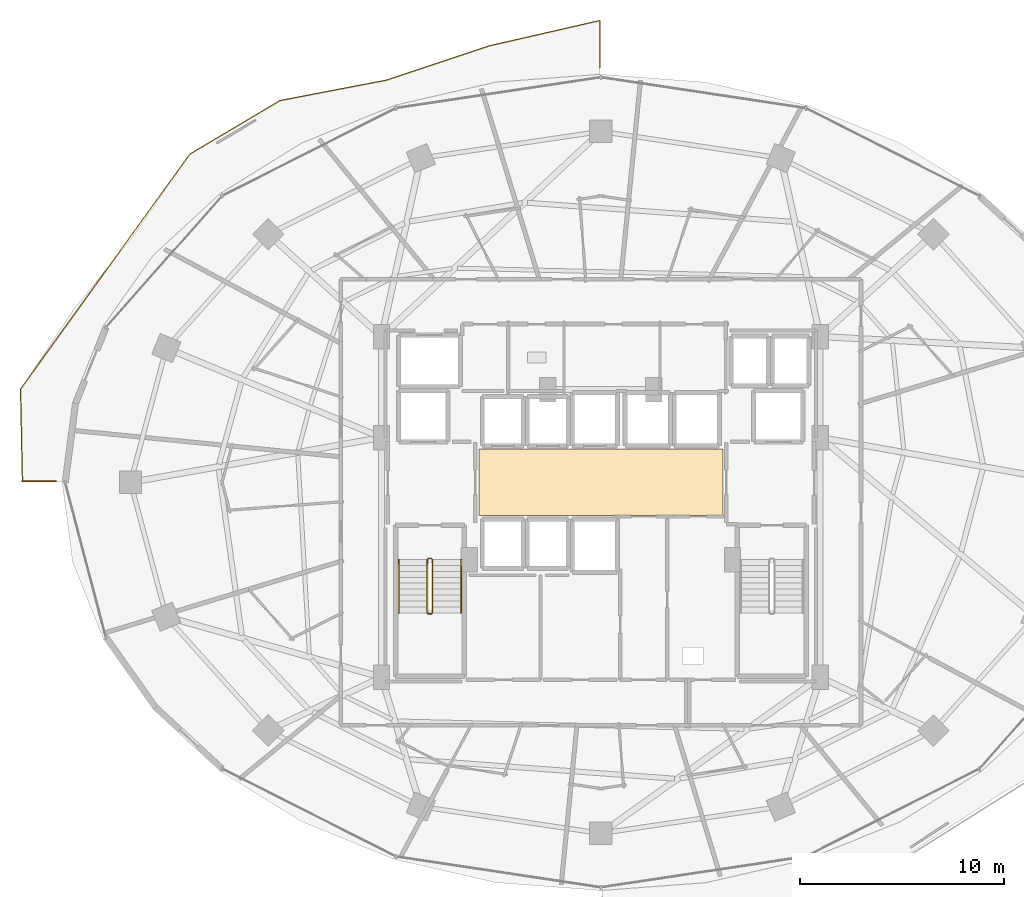
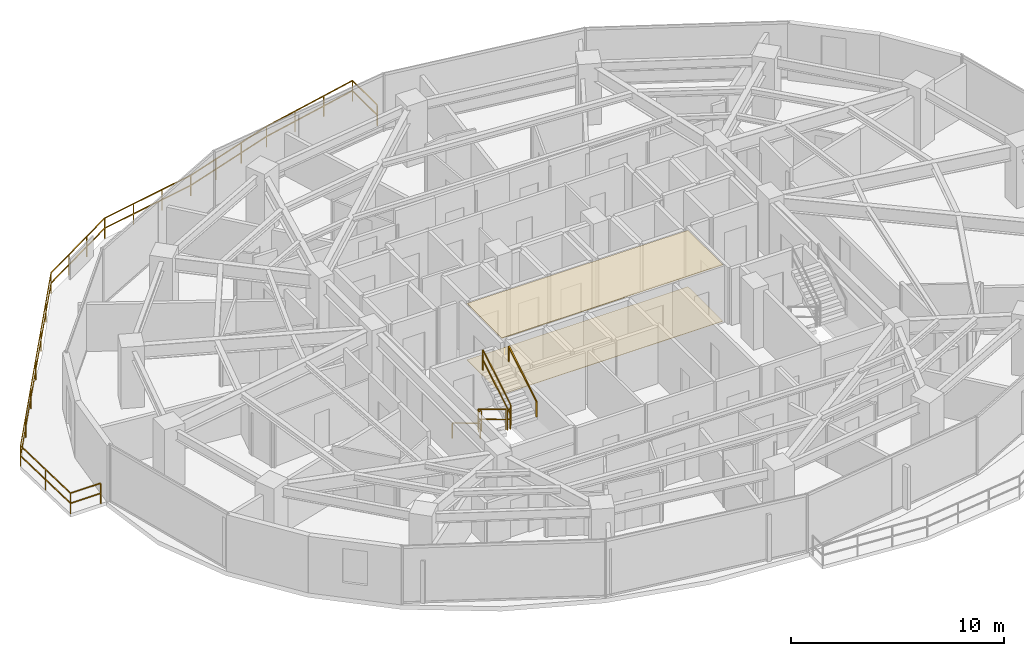
# One storey, part 26 of 29: 8 railings, 2 coverings.
"""IFC4 building model written with IfcOpenShell, lengths in metres."""

from ifc_helpers import new_model, si_unit, direction, frame, origin, origin_2d, place, context, subcontext, project, spatial, polyline, rectangle, outline, extrude, material, layer, layer_set, type_object, element, save


model = new_model("IFC4")

# Units and contexts
model_context = context("Model", 3, precision=1e-05, world=origin(), true_north=direction((0.0, 1.0)))
body_context = subcontext(model_context, "Body", "Model", "MODEL_VIEW")
ifc_project = project(units=[si_unit("LENGTHUNIT", "METRE"), si_unit("AREAUNIT", "SQUARE_METRE"), si_unit("VOLUMEUNIT", "CUBIC_METRE"), si_unit("PLANEANGLEUNIT", "RADIAN"), si_unit("MASSUNIT", "GRAM", prefix="KILO")], contexts=[model_context])

# Site, building, storey
site_placement = place(None, origin())
site = spatial("IfcSite", under=ifc_project, at=site_placement, CompositionType="ELEMENT")
building_placement = place(site_placement, origin())
building = spatial("IfcBuilding", under=site, at=building_placement, Name="Vorneva Point Tower", CompositionType="ELEMENT")
storey_placement = place(building_placement, frame((0.0, 0.0, 113.800048828125)))
storey = spatial("IfcBuildingStorey", under=building, at=storey_placement, Name="L30", CompositionType="ELEMENT", Elevation=113.800048828125)

# Coverings
ifc_material_1 = material(Name="Perforated acoustic aluminium baffle ceiling", Category="aluminium")
ifc_layer_1 = layer(ifc_material_1, 0.030029296875)
ifc_layer_set_1 = layer_set([ifc_layer_1], Name="Perforated acoustic aluminium baffle ceiling")
covering_type_1 = type_object("IfcCoveringType", Name="COV-CEIL-BAF", PredefinedType="CEILING", material=ifc_layer_set_1)
covering_1_placement = place(storey_placement, frame((0.0, 0.0, 3.2099609375)))
element("IfcCovering", 1, at=covering_1_placement, inside=storey, type_object=covering_type_1, Name="L30 Lift Lobby Acoustic Baffle Ceiling", PredefinedType="CEILING", context=body_context, shape_type="SweptSolid", body=[
    extrude(outline(polyline([(32.02001953125, 24.3701171875), (43.97998046875, 24.3701171875), (43.97998046875, 27.6298828125), (32.02001953125, 27.6298828125), (32.02001953125, 24.3701171875)])), origin(), (0.0, 0.0, 1.0), 0.034912109375),
])
ifc_material_2 = material(Name="Acoustic wool hospitality carpet", Category="textile")
ifc_layer_2 = layer(ifc_material_2, 0.01806640625)
ifc_layer_set_2 = layer_set([ifc_layer_2], Name="Acoustic wool hospitality carpet")
covering_type_2 = type_object("IfcCoveringType", Name="COV-FLR-CRP", PredefinedType="FLOORING", material=ifc_layer_set_2)
covering_2_placement = place(storey_placement, frame((0.0, 0.0, -0.005126953125)))
element("IfcCovering", 2, at=covering_2_placement, inside=storey, type_object=covering_type_2, Name="L30 Lift Lobby Floor Finish", PredefinedType="FLOORING", context=body_context, shape_type="SweptSolid", body=[
    extrude(outline(polyline([(32.02001953125, 24.3701171875), (43.97998046875, 24.3701171875), (43.97998046875, 27.6298828125), (32.02001953125, 27.6298828125), (32.02001953125, 24.3701171875)])), origin(), (0.0, 0.0, 1.0), 0.023193359375),
])

# Railings
ifc_material_3 = material(Name="Pale anodised aluminium", Category="aluminium")
railing_type_1 = type_object("IfcRailingType", Name="RL-BAL-1200", PredefinedType="BALUSTRADE", material=ifc_material_3)
railing_1_placement = place(storey_placement, frame((9.64892578125, 26.050048828125, 0.0)))
element("IfcRailing", 3, at=railing_1_placement, inside=storey, type_object=railing_type_1, Name="L30 Wave Balcony Balustrade NW.1", PredefinedType="BALUSTRADE", context=body_context, shape_type="SweptSolid", body=[
    extrude(rectangle(XDim=0.048095703125, YDim=0.048095703125, at=origin_2d()), frame((0.0, 0.0, 1.17578125), z_axis=(1.0, 0.0, 0.0), x_axis=(0.0, 1.0, 0.0)), (0.0, 0.0, 1.0), 1.634765625),
    extrude(rectangle(XDim=0.048095703125, YDim=0.048095703125, at=origin_2d()), frame((0.0, 0.0, 0.60009765625), z_axis=(1.0, 0.0, 0.0), x_axis=(0.0, 1.0, 0.0)), (0.0, 0.0, 1.0), 1.634765625),
    extrude(rectangle(XDim=0.0419921875, YDim=0.0419921875, at=origin_2d()), origin(), (0.0, 0.0, 1.0), 1.15185546875),
    extrude(rectangle(XDim=0.0419921875, YDim=0.0419921875, at=origin_2d()), frame((1.634765625, 0.0, 0.0)), (0.0, 0.0, 1.0), 1.15185546875),
])
railing_2_placement = place(storey_placement, frame((37.949951171875, 46.317138671875, 0.0)))
element("IfcRailing", 4, at=railing_2_placement, inside=storey, type_object=railing_type_1, Name="L30 Wave Balcony Balustrade NW.2", PredefinedType="BALUSTRADE", context=body_context, shape_type="SweptSolid", body=[
    extrude(rectangle(XDim=0.048095703125, YDim=0.048095703125, at=origin_2d()), frame((0.0, 0.0, 1.17578125), z_axis=(0.0, 1.0, 0.0), x_axis=(-1.0, 0.0, 0.0)), (0.0, 0.0, 1.0), 2.321533203125),
    extrude(rectangle(XDim=0.048095703125, YDim=0.048095703125, at=origin_2d()), frame((0.0, 0.0, 0.60009765625), z_axis=(0.0, 1.0, 0.0), x_axis=(-1.0, 0.0, 0.0)), (0.0, 0.0, 1.0), 2.321533203125),
    extrude(rectangle(XDim=0.048095703125, YDim=0.048095703125, at=origin_2d()), frame((0.0, 2.321533203125, 1.17578125), z_axis=(-0.974772904906, -0.22319897818, 0.0), x_axis=(0.22319897818, -0.974772904906, 0.0)), (0.0, 0.0, 1.0), 5.509521484375),
    extrude(rectangle(XDim=0.048095703125, YDim=0.048095703125, at=origin_2d()), frame((0.0, 2.321533203125, 0.60009765625), z_axis=(-0.974772904906, -0.22319897818, 0.0), x_axis=(0.22319897818, -0.974772904906, 0.0)), (0.0, 0.0, 1.0), 5.509521484375),
    extrude(rectangle(XDim=0.048095703125, YDim=0.048095703125, at=origin_2d()), frame((-5.37060546875, 1.091796875, 1.17578125), z_axis=(-0.948856695911, -0.315707096252, 0.0), x_axis=(0.315707096252, -0.948856695911, 0.0)), (0.0, 0.0, 1.0), 5.345947265625),
    extrude(rectangle(XDim=0.048095703125, YDim=0.048095703125, at=origin_2d()), frame((-5.37060546875, 1.091796875, 0.60009765625), z_axis=(-0.948856695911, -0.315707096252, 0.0), x_axis=(0.315707096252, -0.948856695911, 0.0)), (0.0, 0.0, 1.0), 5.345947265625),
    extrude(rectangle(XDim=0.048095703125, YDim=0.048095703125, at=origin_2d()), frame((-10.443115234375, -0.595947265625, 1.17578125), z_axis=(-0.982038802022, -0.18867906965, 0.0), x_axis=(0.18867906965, -0.982038802022, 0.0)), (0.0, 0.0, 1.0), 5.325927734375),
    extrude(rectangle(XDim=0.048095703125, YDim=0.048095703125, at=origin_2d()), frame((-10.443115234375, -0.595947265625, 0.60009765625), z_axis=(-0.982038802022, -0.18867906965, 0.0), x_axis=(0.18867906965, -0.982038802022, 0.0)), (0.0, 0.0, 1.0), 5.325927734375),
    extrude(rectangle(XDim=0.048095703125, YDim=0.048095703125, at=origin_2d()), frame((-15.67333984375, -1.600830078125, 1.17578125), z_axis=(-0.859813701546, -0.510607871692, 0.0), x_axis=(0.510607871692, -0.859813701546, 0.0)), (0.0, 0.0, 1.0), 5.141357421875),
    extrude(rectangle(XDim=0.048095703125, YDim=0.048095703125, at=origin_2d()), frame((-15.67333984375, -1.600830078125, 0.60009765625), z_axis=(-0.859813701546, -0.510607871692, 0.0), x_axis=(0.510607871692, -0.859813701546, 0.0)), (0.0, 0.0, 1.0), 5.141357421875),
    extrude(rectangle(XDim=0.048095703125, YDim=0.048095703125, at=origin_2d()), frame((-20.093994140625, -4.22607421875, 1.17578125), z_axis=(-0.58451761401, -0.811381019566, 0.0), x_axis=(0.811381019566, -0.58451761401, 0.0)), (0.0, 0.0, 1.0), 14.19775390625),
    extrude(rectangle(XDim=0.048095703125, YDim=0.048095703125, at=origin_2d()), frame((-20.093994140625, -4.22607421875, 0.60009765625), z_axis=(-0.58451761401, -0.811381019566, 0.0), x_axis=(0.811381019566, -0.58451761401, 0.0)), (0.0, 0.0, 1.0), 14.19775390625),
    extrude(rectangle(XDim=0.048095703125, YDim=0.048095703125, at=origin_2d()), frame((-28.392822265625, -15.745849609375, 1.17578125), z_axis=(0.020299288543, -0.999793948214, 0.0), x_axis=(0.999793948214, 0.020299288543, 0.0)), (0.0, 0.0, 1.0), 4.522216796875),
    extrude(rectangle(XDim=0.048095703125, YDim=0.048095703125, at=origin_2d()), frame((-28.392822265625, -15.745849609375, 0.60009765625), z_axis=(0.020299288543, -0.999793948214, 0.0), x_axis=(0.999793948214, 0.020299288543, 0.0)), (0.0, 0.0, 1.0), 4.522216796875),
    extrude(rectangle(XDim=0.0419921875, YDim=0.0419921875, at=origin_2d()), origin(), (0.0, 0.0, 1.0), 1.15185546875),
    extrude(rectangle(XDim=0.0419921875, YDim=0.0419921875, at=origin_2d()), frame((0.0, 2.321533203125, 0.0)), (0.0, 0.0, 1.0), 1.15185546875),
    extrude(rectangle(XDim=0.0419921875, YDim=0.0419921875, at=origin_2d()), frame((-1.790283203125, 1.91162109375, 0.0)), (0.0, 0.0, 1.0), 1.15185546875),
    extrude(rectangle(XDim=0.0419921875, YDim=0.0419921875, at=origin_2d()), frame((-3.580322265625, 1.501708984375, 0.0)), (0.0, 0.0, 1.0), 1.15185546875),
    extrude(rectangle(XDim=0.0419921875, YDim=0.0419921875, at=origin_2d()), frame((-5.37060546875, 1.091796875, 0.0)), (0.0, 0.0, 1.0), 1.15185546875),
    extrude(rectangle(XDim=0.0419921875, YDim=0.0419921875, at=origin_2d()), frame((-7.0615234375, 0.529296875, 0.0)), (0.0, 0.0, 1.0), 1.15185546875),
    extrude(rectangle(XDim=0.0419921875, YDim=0.0419921875, at=origin_2d()), frame((-8.752197265625, -0.033447265625, 0.0)), (0.0, 0.0, 1.0), 1.15185546875),
    extrude(rectangle(XDim=0.0419921875, YDim=0.0419921875, at=origin_2d()), frame((-10.443115234375, -0.595947265625, 0.0)), (0.0, 0.0, 1.0), 1.15185546875),
    extrude(rectangle(XDim=0.0419921875, YDim=0.0419921875, at=origin_2d()), frame((-12.1865234375, -0.930908203125, 0.0)), (0.0, 0.0, 1.0), 1.15185546875),
    extrude(rectangle(XDim=0.0419921875, YDim=0.0419921875, at=origin_2d()), frame((-13.929931640625, -1.265869140625, 0.0)), (0.0, 0.0, 1.0), 1.15185546875),
    extrude(rectangle(XDim=0.0419921875, YDim=0.0419921875, at=origin_2d()), frame((-15.67333984375, -1.600830078125, 0.0)), (0.0, 0.0, 1.0), 1.15185546875),
    extrude(rectangle(XDim=0.0419921875, YDim=0.0419921875, at=origin_2d()), frame((-17.14697265625, -2.475830078125, 0.0)), (0.0, 0.0, 1.0), 1.15185546875),
    extrude(rectangle(XDim=0.0419921875, YDim=0.0419921875, at=origin_2d()), frame((-18.620361328125, -3.35107421875, 0.0)), (0.0, 0.0, 1.0), 1.15185546875),
    extrude(rectangle(XDim=0.0419921875, YDim=0.0419921875, at=origin_2d()), frame((-20.093994140625, -4.22607421875, 0.0)), (0.0, 0.0, 1.0), 1.15185546875),
    extrude(rectangle(XDim=0.0419921875, YDim=0.0419921875, at=origin_2d()), frame((-21.47705078125, -6.14599609375, 0.0)), (0.0, 0.0, 1.0), 1.15185546875),
    extrude(rectangle(XDim=0.0419921875, YDim=0.0419921875, at=origin_2d()), frame((-22.8603515625, -8.06591796875, 0.0)), (0.0, 0.0, 1.0), 1.15185546875),
    extrude(rectangle(XDim=0.0419921875, YDim=0.0419921875, at=origin_2d()), frame((-24.243408203125, -9.98583984375, 0.0)), (0.0, 0.0, 1.0), 1.15185546875),
    extrude(rectangle(XDim=0.0419921875, YDim=0.0419921875, at=origin_2d()), frame((-25.62646484375, -11.906005859375, 0.0)), (0.0, 0.0, 1.0), 1.15185546875),
    extrude(rectangle(XDim=0.0419921875, YDim=0.0419921875, at=origin_2d()), frame((-27.009765625, -13.825927734375, 0.0)), (0.0, 0.0, 1.0), 1.15185546875),
    extrude(rectangle(XDim=0.0419921875, YDim=0.0419921875, at=origin_2d()), frame((-28.392822265625, -15.745849609375, 0.0)), (0.0, 0.0, 1.0), 1.15185546875),
    extrude(rectangle(XDim=0.0419921875, YDim=0.0419921875, at=origin_2d()), frame((-28.346923828125, -18.00634765625, 0.0)), (0.0, 0.0, 1.0), 1.15185546875),
    extrude(rectangle(XDim=0.0419921875, YDim=0.0419921875, at=origin_2d()), frame((-28.301025390625, -20.26708984375, 0.0)), (0.0, 0.0, 1.0), 1.15185546875),
])
ifc_material_4 = material(Name="Brushed stainless steel S304", Category="steel")
railing_type_2 = type_object("IfcRailingType", Name="RL-HND-920", PredefinedType="HANDRAIL", material=ifc_material_4)
railing_3_placement = place(storey_placement, frame((28.10009765625, 22.219970703125, 0.175048828125)))
element("IfcRailing", 5, at=railing_3_placement, inside=storey, type_object=railing_type_2, Name="L30 ST1 stair handrail 1", PredefinedType="HANDRAIL", context=body_context, shape_type="SweptSolid", body=[
    extrude(rectangle(XDim=0.048095703125, YDim=0.048095703125, at=origin_2d()), frame((0.0, 0.0, 0.8759765625), z_axis=(0.0, -0.85618277418, 0.516673066065), x_axis=(1.0, 0.0, 0.0)), (0.0, 0.0, 1.0), 3.04833984375),
    extrude(rectangle(XDim=0.0419921875, YDim=0.0419921875, at=origin_2d()), origin(), (0.0, 0.0, 1.0), 0.851806640625),
    extrude(rectangle(XDim=0.0419921875, YDim=0.0419921875, at=origin_2d()), frame((0.0, -2.60986328125, 1.574951171875)), (0.0, 0.0, 1.0), 0.851806640625),
])
railing_4_placement = place(storey_placement, frame((31.14990234375, 19.610107421875, 1.925048828125)))
element("IfcRailing", 6, at=railing_4_placement, inside=storey, type_object=railing_type_2, Name="L30 ST1 stair handrail 2", PredefinedType="HANDRAIL", context=body_context, shape_type="SweptSolid", body=[
    extrude(rectangle(XDim=0.048095703125, YDim=0.048095703125, at=origin_2d()), frame((0.0, 0.0, 0.8759765625), z_axis=(0.0, 0.85618277418, 0.516673066065), x_axis=(-1.0, 0.0, 0.0)), (0.0, 0.0, 1.0), 3.04833984375),
    extrude(rectangle(XDim=0.0419921875, YDim=0.0419921875, at=origin_2d()), origin(), (0.0, 0.0, 1.0), 0.851806640625),
    extrude(rectangle(XDim=0.0419921875, YDim=0.0419921875, at=origin_2d()), frame((0.0, 2.60986328125, 1.574951171875)), (0.0, 0.0, 1.0), 0.851806640625),
])
railing_type_3 = type_object("IfcRailingType", Name="RL-STG-1100", PredefinedType="GUARDRAIL", material=ifc_material_4)
railing_5_placement = place(storey_placement, frame((29.5, 22.219970703125, 0.175048828125)))
element("IfcRailing", 7, at=railing_5_placement, inside=storey, type_object=railing_type_3, Name="L30 ST1 stair guard 1", PredefinedType="GUARDRAIL", context=body_context, shape_type="SweptSolid", body=[
    extrude(rectangle(XDim=0.048095703125, YDim=0.048095703125, at=origin_2d()), frame((0.0, 0.0, 1.17578125), z_axis=(0.0, -0.85618277418, 0.516673066065), x_axis=(1.0, 0.0, 0.0)), (0.0, 0.0, 1.0), 3.04833984375),
    extrude(rectangle(XDim=0.048095703125, YDim=0.048095703125, at=origin_2d()), frame((0.0, 0.0, 0.60009765625), z_axis=(0.0, -0.85618277418, 0.516673066065), x_axis=(1.0, 0.0, 0.0)), (0.0, 0.0, 1.0), 3.04833984375),
    extrude(rectangle(XDim=0.0419921875, YDim=0.0419921875, at=origin_2d()), origin(), (0.0, 0.0, 1.0), 1.15185546875),
    extrude(rectangle(XDim=0.0419921875, YDim=0.0419921875, at=origin_2d()), frame((0.0, -2.60986328125, 1.574951171875)), (0.0, 0.0, 1.0), 1.15185546875),
])
railing_6_placement = place(storey_placement, frame((29.550048828125, 19.56005859375, 1.75)))
element("IfcRailing", 8, at=railing_6_placement, inside=storey, type_object=railing_type_3, Name="L30 ST1 stair guard 2", PredefinedType="GUARDRAIL", context=body_context, shape_type="SweptSolid", body=[
    extrude(rectangle(XDim=0.048095703125, YDim=0.048095703125, at=origin_2d()), frame((0.0, 0.0, 1.17578125), z_axis=(1.0, 0.0, 0.0), x_axis=(0.0, 1.0, 0.0)), (0.0, 0.0, 1.0), 0.14990234375),
    extrude(rectangle(XDim=0.048095703125, YDim=0.048095703125, at=origin_2d()), frame((0.0, 0.0, 0.60009765625), z_axis=(1.0, 0.0, 0.0), x_axis=(0.0, 1.0, 0.0)), (0.0, 0.0, 1.0), 0.14990234375),
    extrude(rectangle(XDim=0.0419921875, YDim=0.0419921875, at=origin_2d()), origin(), (0.0, 0.0, 1.0), 1.15185546875),
    extrude(rectangle(XDim=0.0419921875, YDim=0.0419921875, at=origin_2d()), frame((0.14990234375, 0.0, 0.0)), (0.0, 0.0, 1.0), 1.15185546875),
])
railing_7_placement = place(storey_placement, frame((29.75, 19.610107421875, 1.925048828125)))
element("IfcRailing", 9, at=railing_7_placement, inside=storey, type_object=railing_type_3, Name="L30 ST1 stair guard 3", PredefinedType="GUARDRAIL", context=body_context, shape_type="SweptSolid", body=[
    extrude(rectangle(XDim=0.048095703125, YDim=0.048095703125, at=origin_2d()), frame((0.0, 0.0, 1.17578125), z_axis=(0.0, 0.85618277418, 0.516673066065), x_axis=(-1.0, 0.0, 0.0)), (0.0, 0.0, 1.0), 3.04833984375),
    extrude(rectangle(XDim=0.048095703125, YDim=0.048095703125, at=origin_2d()), frame((0.0, 0.0, 0.60009765625), z_axis=(0.0, 0.85618277418, 0.516673066065), x_axis=(-1.0, 0.0, 0.0)), (0.0, 0.0, 1.0), 3.04833984375),
    extrude(rectangle(XDim=0.0419921875, YDim=0.0419921875, at=origin_2d()), origin(), (0.0, 0.0, 1.0), 1.15185546875),
    extrude(rectangle(XDim=0.0419921875, YDim=0.0419921875, at=origin_2d()), frame((0.0, 2.60986328125, 1.574951171875)), (0.0, 0.0, 1.0), 1.15185546875),
])
railing_8_placement = place(storey_placement, frame((29.550048828125, 22.27001953125, 0.0)))
element("IfcRailing", 10, at=railing_8_placement, inside=storey, type_object=railing_type_3, Name="L30 ST1 stair guard 4", PredefinedType="GUARDRAIL", context=body_context, shape_type="SweptSolid", body=[
    extrude(rectangle(XDim=0.048095703125, YDim=0.048095703125, at=origin_2d()), frame((0.0, 0.0, 1.17578125), z_axis=(1.0, 0.0, 0.0), x_axis=(0.0, 1.0, 0.0)), (0.0, 0.0, 1.0), 0.14990234375),
    extrude(rectangle(XDim=0.048095703125, YDim=0.048095703125, at=origin_2d()), frame((0.0, 0.0, 0.60009765625), z_axis=(1.0, 0.0, 0.0), x_axis=(0.0, 1.0, 0.0)), (0.0, 0.0, 1.0), 0.14990234375),
    extrude(rectangle(XDim=0.0419921875, YDim=0.0419921875, at=origin_2d()), origin(), (0.0, 0.0, 1.0), 1.15185546875),
    extrude(rectangle(XDim=0.0419921875, YDim=0.0419921875, at=origin_2d()), frame((0.14990234375, 0.0, 0.0)), (0.0, 0.0, 1.0), 1.15185546875),
])

save(model, "model.ifc")
